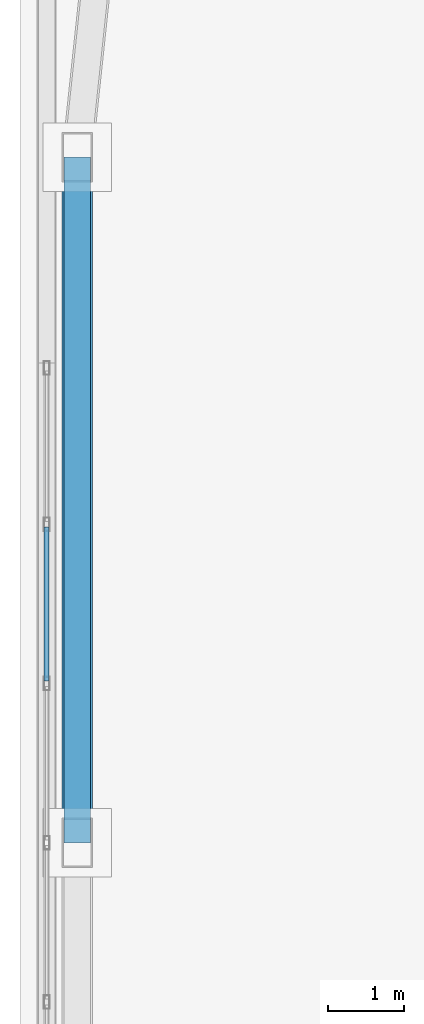
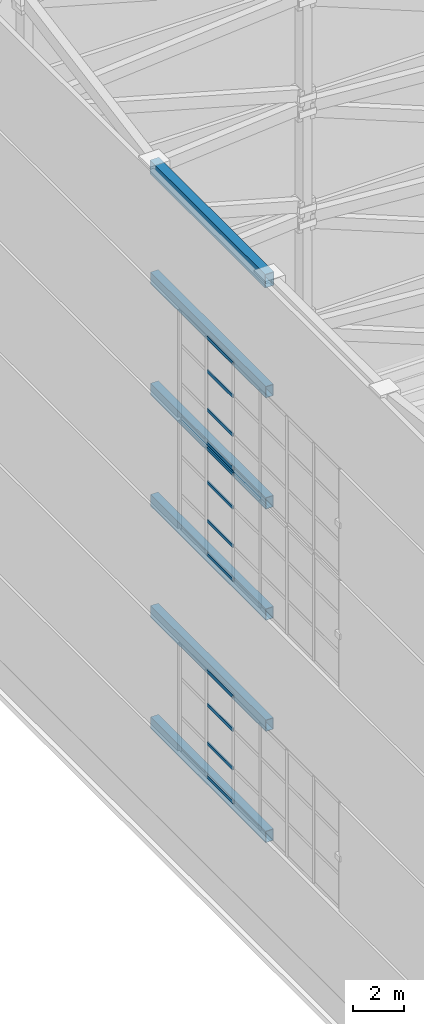
# One storey, part 16 of 47: 12 members, 6 beams, 3 elements without a shape of their own.
"""IFC4 building model written with IfcOpenShell, lengths in metres."""

from ifc_helpers import new_model, si_unit, direction, frame, origin, origin_2d, place, context, subcontext, project, spatial, hollow_rectangle, extrude, material, layer, layer_set, material_profile, profile_set, type_object, element, aggregate, save


model = new_model("IFC4")

# Units and contexts
model_context = context("Model", 3, precision=1e-05, world=origin(), true_north=direction((0.0, 1.0)))
body_context = subcontext(model_context, "Body", "Model", "MODEL_VIEW")
ifc_project = project(units=[si_unit("LENGTHUNIT", "METRE"), si_unit("AREAUNIT", "SQUARE_METRE"), si_unit("VOLUMEUNIT", "CUBIC_METRE"), si_unit("PLANEANGLEUNIT", "RADIAN"), si_unit("MASSUNIT", "GRAM", prefix="KILO")], contexts=[model_context])

# Site, building, storey
site_placement = place(None, origin())
site = spatial("IfcSite", under=ifc_project, at=site_placement, CompositionType="ELEMENT")
building_placement = place(site_placement, origin())
building = spatial("IfcBuilding", under=site, at=building_placement, Name="Qiaolan Cultural Towers", CompositionType="ELEMENT")
storey_placement = place(building_placement, frame((0.0, 0.0, 280.199951171875)))
storey = spatial("IfcBuildingStorey", under=building, at=storey_placement, Name="RF", CompositionType="ELEMENT", Elevation=280.199951171875)

# Beams
ifc_material_1 = material(Name="Steel Q355B", Category="steel")
ifc_material_profile_1 = material_profile(ifc_material_1, hollow_rectangle(XDim=0.39990234375, YDim=0.64990234375, WallThickness=0.02001953125, at=origin_2d()), Name="BOX650x400x20")
ifc_profile_set_1 = profile_set([ifc_material_profile_1], Name="Steel Q355B")
beam_type_1 = type_object("IfcBeamType", Name="BM-CROWN-FRAME-1", PredefinedType="BEAM", material=ifc_profile_set_1)
beam_placement = place(storey_placement, frame((15.35009765625, 43.0, 31.47509765625), z_axis=(0.0, -1.0, 0.0), x_axis=(1.0, 0.0, 0.0)))
element("IfcBeam", 1, at=beam_placement, inside=storey, type_object=beam_type_1, Name="T1 Crown Frame Top Cap Ring Beam T6-11", PredefinedType="BEAM", context=body_context, shape_type="SweptSolid", body=[
    extrude(hollow_rectangle(XDim=0.39990234375, YDim=0.64990234375, WallThickness=0.02001953125, at=origin_2d()), origin(), (0.0, 0.0, 1.0), 9.0),
])
ifc_material_2 = material(Name="Steel Q355B", Category="steel")
ifc_material_profile_2 = material_profile(ifc_material_2, hollow_rectangle(XDim=0.35009765625, YDim=0.550048828125, WallThickness=0.01806640625, at=origin_2d()), Name="BOX550x350x18")
ifc_profile_set_2 = profile_set([ifc_material_profile_2], Name="Steel Q355B")
beam_type_2 = type_object("IfcBeamType", Name="BM-CROWN-FRAME-2", PredefinedType="BEAM", material=ifc_profile_set_2)
for number, where, z_axis, x_axis, name in (
    (2, (15.35009765625, 43.0, 4.97509765625), (0.0, -1.0, 0.0), (1.0, 0.0, 0.0), "T1 Crown Frame Ring Beam T1-11"),
    (3, (15.35009765625, 43.0, 10.275146484375), (0.0, -1.0, 0.0), (1.0, 0.0, 0.0), "T1 Crown Frame Ring Beam T2-11"),
    (4, (15.35009765625, 43.0, 15.574951171875), (0.0, -1.0, 0.0), (1.0, 0.0, 0.0), "T1 Crown Frame Ring Beam T3-11"),
    (5, (15.35009765625, 43.0, 20.875), (0.0, -1.0, 0.0), (1.0, 0.0, 0.0), "T1 Crown Frame Ring Beam T4-11"),
    (6, (15.35009765625, 43.0, 26.175048828125), (0.0, -1.0, 0.0), (1.0, 0.0, 0.0), "T1 Crown Frame Ring Beam T5-11"),
):
    element("IfcBeam", number, at=place(storey_placement, frame(where, z_axis=z_axis, x_axis=x_axis)), inside=storey, type_object=beam_type_2, Name=name, PredefinedType="BEAM", context=body_context, shape_type="SweptSolid", body=[
        extrude(hollow_rectangle(XDim=0.35009765625, YDim=0.550048828125, WallThickness=0.01806640625, at=origin_2d()), origin(), (0.0, 0.0, 1.0), 9.0),
    ])

# Curtain wall, members
ifc_material_3 = material(Name="Unitized Anodized Aluminium Curtain Wall System", Category="aluminium")
ifc_layer = layer(ifc_material_3, 0.199951171875)
ifc_layer_set = layer_set([ifc_layer], Name="Unitized Anodized Aluminium Curtain Wall System")
curtain_wall_type = type_object("IfcCurtainWallType", Name="CWS-06", PredefinedType="NOTDEFINED", material=ifc_layer_set)
curtain_wall_1_placement = place(storey_placement, origin())
curtain_wall_1 = element("IfcCurtainWall", 7, at=curtain_wall_1_placement, inside=storey, type_object=curtain_wall_type, Name="T1 Crown Tier 2 Fritted Screen Curtain Wall 7", PredefinedType="NOTDEFINED")
ifc_material_4 = material(Name="Extruded Aluminium 6063-T6", Category="aluminium")
ifc_material_profile_3 = material_profile(ifc_material_4, hollow_rectangle(XDim=0.06494140625, YDim=0.14990234375, WallThickness=0.00390625, at=origin_2d()), Name="CWT-150x65x4")
ifc_profile_set_3 = profile_set([ifc_material_profile_3], Name="Extruded Aluminium 6063-T6")
member_type = type_object("IfcMemberType", Name="CWS-06-TRN", PredefinedType="USERDEFINED", material=ifc_profile_set_3)
member_1_placement = place(storey_placement, frame((14.949951171875, 38.142578125, 5.4326171875), z_axis=(0.0, -1.0, 0.0), x_axis=(1.0, 0.0, 0.0)))
member_1 = element("IfcMember", 8, at=member_1_placement, type_object=member_type, Name="CW-6 transom 2.1", ObjectType="TRANSOM", PredefinedType="USERDEFINED", context=body_context, shape_type="SweptSolid", body=[
    extrude(hollow_rectangle(XDim=0.06494140625, YDim=0.14990234375, WallThickness=0.00390625, at=origin_2d()), origin(), (0.0, 0.0, 1.0), 2.01513671875),
])
member_2_placement = place(storey_placement, frame((14.949951171875, 38.142578125, 7.030029296875), z_axis=(0.0, -1.0, 0.0), x_axis=(1.0, 0.0, 0.0)))
member_2 = element("IfcMember", 9, at=member_2_placement, type_object=member_type, Name="CW-6 transom 2.2", ObjectType="TRANSOM", PredefinedType="USERDEFINED", context=body_context, shape_type="SweptSolid", body=[
    extrude(hollow_rectangle(XDim=0.06494140625, YDim=0.14990234375, WallThickness=0.00390625, at=origin_2d()), origin(), (0.0, 0.0, 1.0), 2.01513671875),
])
member_3_placement = place(storey_placement, frame((14.949951171875, 38.142578125, 8.8701171875), z_axis=(0.0, -1.0, 0.0), x_axis=(1.0, 0.0, 0.0)))
member_3 = element("IfcMember", 10, at=member_3_placement, type_object=member_type, Name="CW-6 transom 2.3", ObjectType="TRANSOM", PredefinedType="USERDEFINED", context=body_context, shape_type="SweptSolid", body=[
    extrude(hollow_rectangle(XDim=0.06494140625, YDim=0.14990234375, WallThickness=0.00390625, at=origin_2d()), origin(), (0.0, 0.0, 1.0), 2.01513671875),
])
member_4_placement = place(storey_placement, frame((14.949951171875, 38.142578125, 10.467529296875), z_axis=(0.0, -1.0, 0.0), x_axis=(1.0, 0.0, 0.0)))
member_4 = element("IfcMember", 11, at=member_4_placement, type_object=member_type, Name="CW-6 transom 2.4", ObjectType="TRANSOM", PredefinedType="USERDEFINED", context=body_context, shape_type="SweptSolid", body=[
    extrude(hollow_rectangle(XDim=0.06494140625, YDim=0.14990234375, WallThickness=0.00390625, at=origin_2d()), origin(), (0.0, 0.0, 1.0), 2.01513671875),
])
aggregate(curtain_wall_1, [member_1, member_2, member_3, member_4])

curtain_wall_2_placement = place(storey_placement, origin())
curtain_wall_2 = element("IfcCurtainWall", 12, at=curtain_wall_2_placement, inside=storey, type_object=curtain_wall_type, Name="T1 Crown Tier 4 Fritted Screen Curtain Wall 7", PredefinedType="NOTDEFINED")
member_5_placement = place(storey_placement, frame((14.949951171875, 38.142578125, 16.032470703125), z_axis=(0.0, -1.0, 0.0), x_axis=(1.0, 0.0, 0.0)))
member_5 = element("IfcMember", 13, at=member_5_placement, type_object=member_type, Name="CW-6 transom 2.1", ObjectType="TRANSOM", PredefinedType="USERDEFINED", context=body_context, shape_type="SweptSolid", body=[
    extrude(hollow_rectangle(XDim=0.06494140625, YDim=0.14990234375, WallThickness=0.00390625, at=origin_2d()), origin(), (0.0, 0.0, 1.0), 2.01513671875),
])
member_6_placement = place(storey_placement, frame((14.949951171875, 38.142578125, 17.630126953125), z_axis=(0.0, -1.0, 0.0), x_axis=(1.0, 0.0, 0.0)))
member_6 = element("IfcMember", 14, at=member_6_placement, type_object=member_type, Name="CW-6 transom 2.2", ObjectType="TRANSOM", PredefinedType="USERDEFINED", context=body_context, shape_type="SweptSolid", body=[
    extrude(hollow_rectangle(XDim=0.06494140625, YDim=0.14990234375, WallThickness=0.00390625, at=origin_2d()), origin(), (0.0, 0.0, 1.0), 2.01513671875),
])
member_7_placement = place(storey_placement, frame((14.949951171875, 38.142578125, 19.469970703125), z_axis=(0.0, -1.0, 0.0), x_axis=(1.0, 0.0, 0.0)))
member_7 = element("IfcMember", 15, at=member_7_placement, type_object=member_type, Name="CW-6 transom 2.3", ObjectType="TRANSOM", PredefinedType="USERDEFINED", context=body_context, shape_type="SweptSolid", body=[
    extrude(hollow_rectangle(XDim=0.06494140625, YDim=0.14990234375, WallThickness=0.00390625, at=origin_2d()), origin(), (0.0, 0.0, 1.0), 2.01513671875),
])
member_8_placement = place(storey_placement, frame((14.949951171875, 38.142578125, 21.067626953125), z_axis=(0.0, -1.0, 0.0), x_axis=(1.0, 0.0, 0.0)))
member_8 = element("IfcMember", 16, at=member_8_placement, type_object=member_type, Name="CW-6 transom 2.4", ObjectType="TRANSOM", PredefinedType="USERDEFINED", context=body_context, shape_type="SweptSolid", body=[
    extrude(hollow_rectangle(XDim=0.06494140625, YDim=0.14990234375, WallThickness=0.00390625, at=origin_2d()), origin(), (0.0, 0.0, 1.0), 2.01513671875),
])
aggregate(curtain_wall_2, [member_5, member_6, member_7, member_8])

curtain_wall_3_placement = place(storey_placement, origin())
curtain_wall_3 = element("IfcCurtainWall", 17, at=curtain_wall_3_placement, inside=storey, type_object=curtain_wall_type, Name="T1 Crown Tier 5 Fritted Screen Curtain Wall 7", PredefinedType="NOTDEFINED")
member_9_placement = place(storey_placement, frame((14.949951171875, 38.142578125, 21.33251953125), z_axis=(0.0, -1.0, 0.0), x_axis=(1.0, 0.0, 0.0)))
member_9 = element("IfcMember", 18, at=member_9_placement, type_object=member_type, Name="CW-6 transom 2.1", ObjectType="TRANSOM", PredefinedType="USERDEFINED", context=body_context, shape_type="SweptSolid", body=[
    extrude(hollow_rectangle(XDim=0.06494140625, YDim=0.14990234375, WallThickness=0.00390625, at=origin_2d()), origin(), (0.0, 0.0, 1.0), 2.01513671875),
])
member_10_placement = place(storey_placement, frame((14.949951171875, 38.142578125, 22.929931640625), z_axis=(0.0, -1.0, 0.0), x_axis=(1.0, 0.0, 0.0)))
member_10 = element("IfcMember", 19, at=member_10_placement, type_object=member_type, Name="CW-6 transom 2.2", ObjectType="TRANSOM", PredefinedType="USERDEFINED", context=body_context, shape_type="SweptSolid", body=[
    extrude(hollow_rectangle(XDim=0.06494140625, YDim=0.14990234375, WallThickness=0.00390625, at=origin_2d()), origin(), (0.0, 0.0, 1.0), 2.01513671875),
])
member_11_placement = place(storey_placement, frame((14.949951171875, 38.142578125, 24.77001953125), z_axis=(0.0, -1.0, 0.0), x_axis=(1.0, 0.0, 0.0)))
member_11 = element("IfcMember", 20, at=member_11_placement, type_object=member_type, Name="CW-6 transom 2.3", ObjectType="TRANSOM", PredefinedType="USERDEFINED", context=body_context, shape_type="SweptSolid", body=[
    extrude(hollow_rectangle(XDim=0.06494140625, YDim=0.14990234375, WallThickness=0.00390625, at=origin_2d()), origin(), (0.0, 0.0, 1.0), 2.01513671875),
])
member_12_placement = place(storey_placement, frame((14.949951171875, 38.142578125, 26.367431640625), z_axis=(0.0, -1.0, 0.0), x_axis=(1.0, 0.0, 0.0)))
member_12 = element("IfcMember", 21, at=member_12_placement, type_object=member_type, Name="CW-6 transom 2.4", ObjectType="TRANSOM", PredefinedType="USERDEFINED", context=body_context, shape_type="SweptSolid", body=[
    extrude(hollow_rectangle(XDim=0.06494140625, YDim=0.14990234375, WallThickness=0.00390625, at=origin_2d()), origin(), (0.0, 0.0, 1.0), 2.01513671875),
])
aggregate(curtain_wall_3, [member_9, member_10, member_11, member_12])

save(model, "model.ifc")
